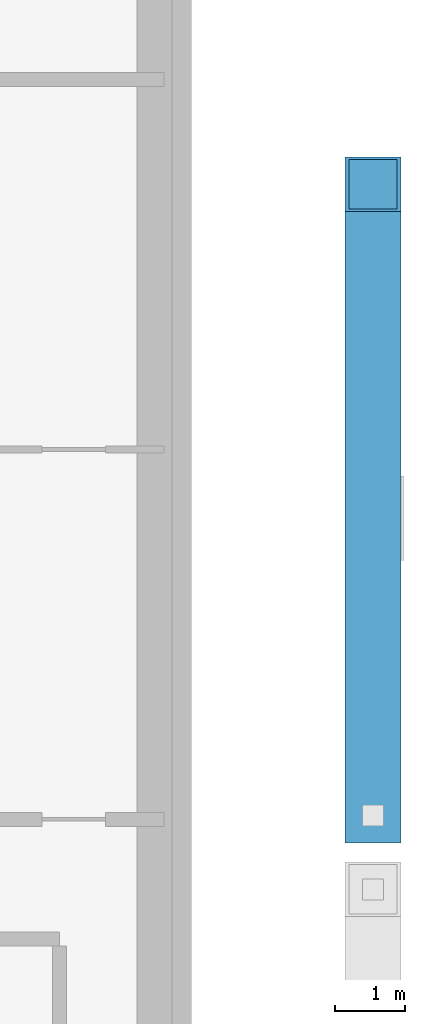
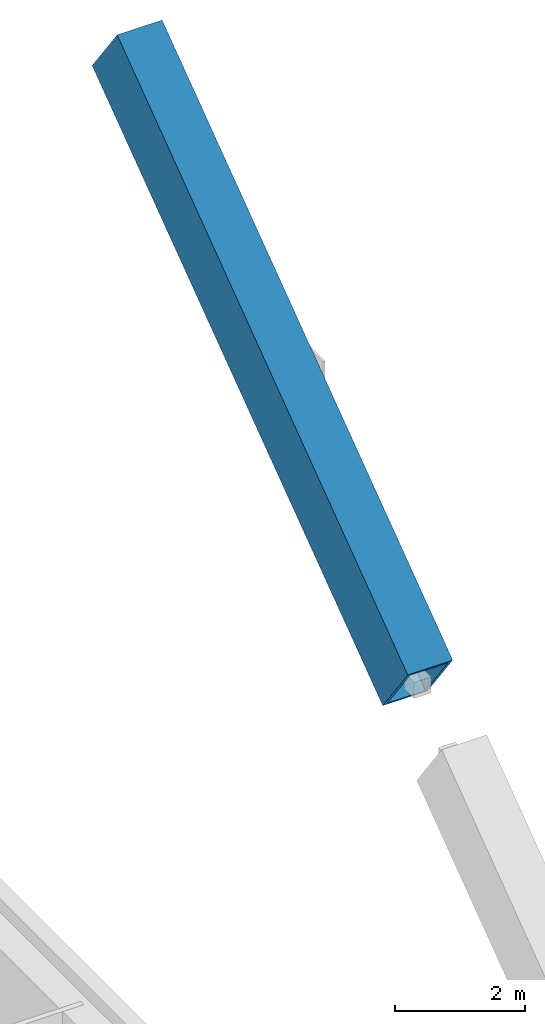
# One storey, part 7 of 17: 1 member.
"""IFC4 building model written with IfcOpenShell, lengths in metres."""

from ifc_helpers import new_model, si_unit, direction, frame, origin, origin_2d, place, context, subcontext, project, spatial, hollow_rectangle, extrude, material, material_profile, profile_set, type_object, element, save


model = new_model("IFC4")

# Units and contexts
model_context = context("Model", 3, precision=1e-05, world=origin(), true_north=direction((0.0, 1.0)))
body_context = subcontext(model_context, "Body", "Model", "MODEL_VIEW")
ifc_project = project(units=[si_unit("LENGTHUNIT", "METRE"), si_unit("AREAUNIT", "SQUARE_METRE"), si_unit("VOLUMEUNIT", "CUBIC_METRE"), si_unit("PLANEANGLEUNIT", "RADIAN"), si_unit("MASSUNIT", "GRAM", prefix="KILO")], contexts=[model_context])

# Site, building, storey
site_placement = place(None, origin())
site = spatial("IfcSite", under=ifc_project, at=site_placement, CompositionType="ELEMENT")
building_placement = place(site_placement, origin())
building = spatial("IfcBuilding", under=site, at=building_placement, Name="Cobrizo Arcos Hotel Tower", CompositionType="ELEMENT")
storey_placement = place(building_placement, frame((0.0, 0.0, 151.5)))
storey = spatial("IfcBuildingStorey", under=building, at=storey_placement, Name="L38", CompositionType="ELEMENT", Elevation=151.5)

# Member
ifc_material = material(Name="Steel ASTM A572 Grade 50", Category="steel")
ifc_material_profile = material_profile(ifc_material, hollow_rectangle(XDim=0.800048828125, YDim=1.300048828125, WallThickness=0.06005859375, at=origin_2d()), Name="BOX 800X1300X60")
ifc_profile_set = profile_set([ifc_material_profile], Name="Steel ASTM A572 Grade 50")
member_type = type_object("IfcMemberType", Name="BOX 800X1300X60 perimeter brace", PredefinedType="BRACE", material=ifc_profile_set)
member_placement = place(storey_placement, frame((24.449951171875, -1.84814453125, 11.385986328125), z_axis=(0.0, 0.804620954099, 0.593788784186), x_axis=(-1.0, 0.0, 0.0)))
element("IfcMember", 1, at=member_placement, inside=storey, type_object=member_type, Name="Perimeter brace PBR3, zone Z3, east face, no. 06c", PredefinedType="BRACE", context=body_context, shape_type="SweptSolid", body=[
    extrude(hollow_rectangle(XDim=0.800048828125, YDim=1.300048828125, WallThickness=0.06005859375, at=origin_2d()), origin(), (0.0, 0.0, 1.0), 11.138671875),
])

save(model, "model.ifc")
